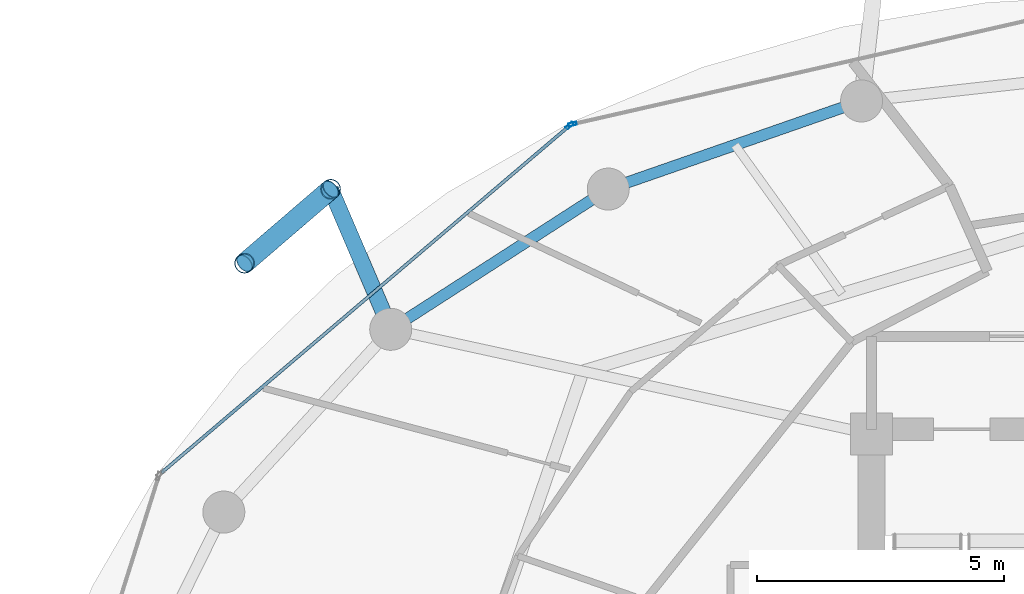
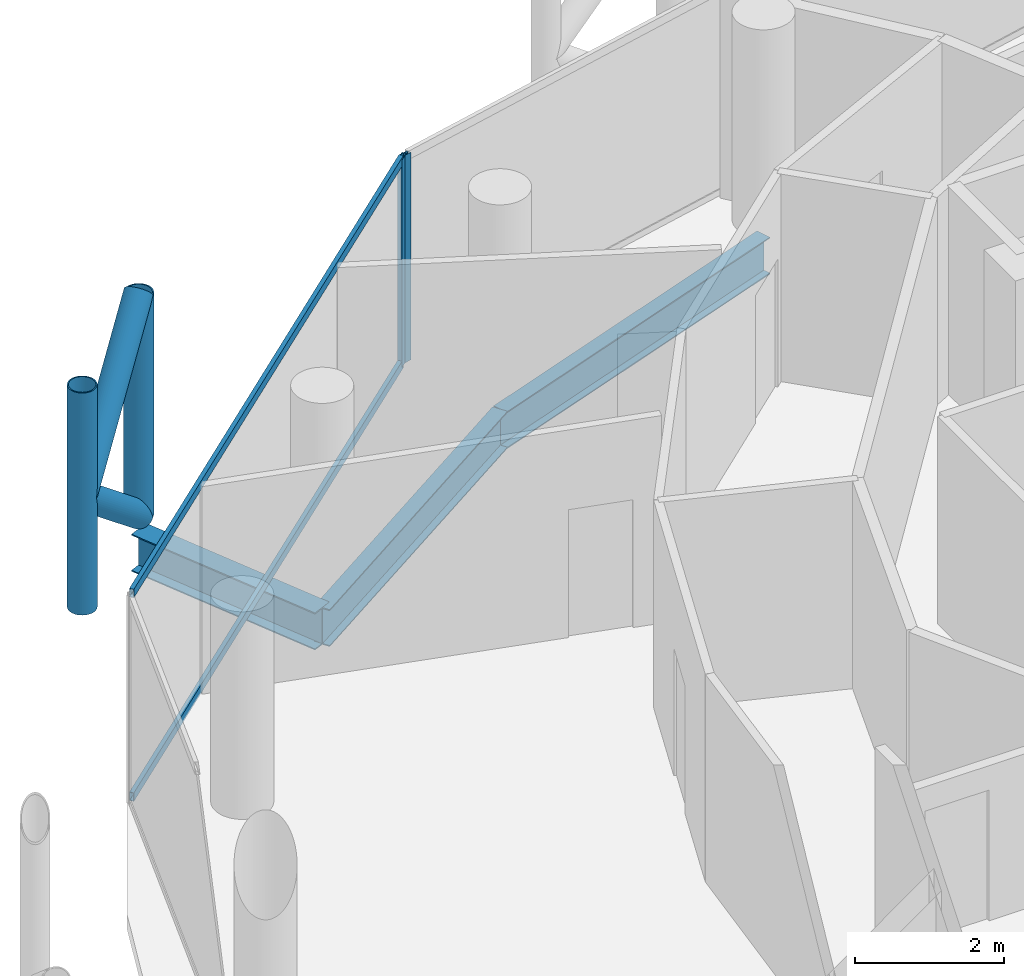
# One storey, part 18 of 27: 8 members, 3 beams, 2 elements without a shape of their own.
"""IFC4 building model written with IfcOpenShell, lengths in metres."""

from ifc_helpers import new_model, si_unit, direction, frame, origin, origin_2d, place, context, subcontext, project, spatial, hollow_rectangle, hollow_circle, i_section, extrude, material, layer, layer_set, material_profile, profile_set, type_object, element, aggregate, save


model = new_model("IFC4")

# Units and contexts
model_context = context("Model", 3, precision=1e-05, world=origin(), true_north=direction((0.0, 1.0)))
body_context = subcontext(model_context, "Body", "Model", "MODEL_VIEW")
ifc_project = project(units=[si_unit("LENGTHUNIT", "METRE"), si_unit("AREAUNIT", "SQUARE_METRE"), si_unit("VOLUMEUNIT", "CUBIC_METRE"), si_unit("PLANEANGLEUNIT", "RADIAN"), si_unit("MASSUNIT", "GRAM", prefix="KILO")], contexts=[model_context])

# Site, building, storey
site_placement = place(None, origin())
site = spatial("IfcSite", under=ifc_project, at=site_placement, CompositionType="ELEMENT")
building_placement = place(site_placement, origin())
building = spatial("IfcBuilding", under=site, at=building_placement, Name="Nuhasar Tower", CompositionType="ELEMENT")
storey_placement = place(building_placement, frame((0.0, 0.0, 219.10009765625)))
storey = spatial("IfcBuildingStorey", under=building, at=storey_placement, Name="L53", CompositionType="ELEMENT", Elevation=219.10009765625)

# Beams
ifc_material_1 = material(Name="Steel S355", Category="steel")
ifc_material_profile_1 = material_profile(ifc_material_1, i_section(OverallWidth=0.22802734375, OverallDepth=0.60791015625, WebThickness=0.01123046875, FlangeThickness=0.017333984375, at=origin_2d()), Name="W24X76")
ifc_profile_set_1 = profile_set([ifc_material_profile_1], Name="Steel S355")
beam_type_1 = type_object("IfcBeamType", Name="BM-RING-W24X76", PredefinedType="SPANDREL", material=ifc_profile_set_1)
beam_1_placement = place(storey_placement, frame((33.5, 44.0419921875, -0.544189453125), z_axis=(-0.944476764686, -0.328578211342, 0.0), x_axis=(0.328578211342, -0.944476764686, 0.0)))
element("IfcBeam", 1, at=beam_1_placement, inside=storey, type_object=beam_type_1, Name="L53 Perimeter Ring Spandrel 08", PredefinedType="SPANDREL", context=body_context, shape_type="SweptSolid", body=[
    extrude(i_section(OverallWidth=0.22802734375, OverallDepth=0.60791015625, WebThickness=0.01123046875, FlangeThickness=0.017333984375, at=origin_2d()), origin(), (0.0, 0.0, 1.0), 5.42626953125),
])
beam_2_placement = place(storey_placement, frame((28.375, 42.259033203125, -0.544189453125), z_axis=(-0.840502144969, -0.541808217272, 0.0), x_axis=(0.541808217272, -0.840502144969, 0.0)))
element("IfcBeam", 2, at=beam_2_placement, inside=storey, type_object=beam_type_1, Name="L53 Perimeter Ring Spandrel 09", PredefinedType="SPANDREL", context=body_context, shape_type="SweptSolid", body=[
    extrude(i_section(OverallWidth=0.22802734375, OverallDepth=0.60791015625, WebThickness=0.01123046875, FlangeThickness=0.017333984375, at=origin_2d()), origin(), (0.0, 0.0, 1.0), 5.236083984375),
])
ifc_material_profile_2 = material_profile(ifc_material_1, i_section(OverallWidth=0.323974609375, OverallDepth=0.611083984375, WebThickness=0.0126953125, FlangeThickness=0.01904296875, at=origin_2d()), Name="W24X104")
ifc_profile_set_2 = profile_set([ifc_material_profile_2], Name="Steel S355")
beam_type_2 = type_object("IfcBeamType", Name="BM-TIE-W24X104", PredefinedType="BEAM", material=ifc_profile_set_2)
beam_3_placement = place(storey_placement, frame((23.97412109375, 39.422119140625, -0.545166015625), z_axis=(-0.393680429682, 0.919247365667, 0.0), x_axis=(-0.919247365667, -0.393680429682, 0.0)))
element("IfcBeam", 3, at=beam_3_placement, inside=storey, type_object=beam_type_2, Name="L53 Exoskeleton Node Tie Beam 05", PredefinedType="BEAM", context=body_context, shape_type="SweptSolid", body=[
    extrude(i_section(OverallWidth=0.323974609375, OverallDepth=0.611083984375, WebThickness=0.0126953125, FlangeThickness=0.01904296875, at=origin_2d()), origin(), (0.0, 0.0, 1.0), 3.083984375),
])

# Curtain wall, member
ifc_material_2 = material(Name="Aluminium 6063-T6", Category="aluminium")
ifc_layer = layer(ifc_material_2, 0.18994140625)
ifc_layer_set = layer_set([ifc_layer], Name="Aluminium 6063-T6")
curtain_wall_type = type_object("IfcCurtainWallType", Name="CW-Z3-RES", PredefinedType="NOTDEFINED", material=ifc_layer_set)
curtain_wall_1_placement = place(storey_placement, origin())
curtain_wall_1 = element("IfcCurtainWall", 4, at=curtain_wall_1_placement, inside=storey, type_object=curtain_wall_type, Name="L53 Unitised Curtain Wall 04", PredefinedType="NOTDEFINED")
ifc_material_profile_3 = material_profile(ifc_material_2, hollow_rectangle(XDim=0.06494140625, YDim=0.169921875, WallThickness=0.0048828125, at=origin_2d()), Name="CWM-4")
ifc_profile_set_3 = profile_set([ifc_material_profile_3], Name="Aluminium 6063-T6")
member_type_1 = type_object("IfcMemberType", Name="CW-MUL-S4", PredefinedType="MULLION", material=ifc_profile_set_3)
member_1_placement = place(storey_placement, frame((27.651611328125, 43.5732421875, 0.0), z_axis=(0.0, 0.0, 1.0), x_axis=(0.222243176313, -0.974991266926, 0.0)))
member_1 = element("IfcMember", 5, at=member_1_placement, type_object=member_type_1, Name="CW-Z3 mullion 2", PredefinedType="MULLION", context=body_context, shape_type="SweptSolid", body=[
    extrude(hollow_rectangle(XDim=0.06494140625, YDim=0.169921875, WallThickness=0.0048828125, at=origin_2d()), origin(), (0.0, 0.0, 1.0), 3.409912109375),
])
aggregate(curtain_wall_1, [member_1])

# Curtain wall, members
curtain_wall_2_placement = place(storey_placement, origin())
curtain_wall_2 = element("IfcCurtainWall", 6, at=curtain_wall_2_placement, inside=storey, type_object=curtain_wall_type, Name="L53 Unitised Curtain Wall 05", PredefinedType="NOTDEFINED")
member_2_placement = place(storey_placement, frame((27.59521484375, 43.544921875, 0.0), z_axis=(0.0, 0.0, 1.0), x_axis=(0.64789521578, -0.761729472562, 0.0)))
member_2 = element("IfcMember", 7, at=member_2_placement, type_object=member_type_1, Name="CW-Z3 mullion 1", PredefinedType="MULLION", context=body_context, shape_type="SweptSolid", body=[
    extrude(hollow_rectangle(XDim=0.06494140625, YDim=0.169921875, WallThickness=0.0048828125, at=origin_2d()), origin(), (0.0, 0.0, 1.0), 3.409912109375),
])
ifc_material_profile_4 = material_profile(ifc_material_2, hollow_rectangle(XDim=0.06494140625, YDim=0.139892578125, WallThickness=0.00439453125, at=origin_2d()), Name="CWT-4")
ifc_profile_set_4 = profile_set([ifc_material_profile_4], Name="Aluminium 6063-T6")
member_type_2 = type_object("IfcMemberType", Name="CW-TRN-S4", PredefinedType="USERDEFINED", material=ifc_profile_set_4)
member_3_placement = place(storey_placement, frame((27.570556640625, 43.52392578125, 0.032470703125), z_axis=(-0.761730809511, -0.647893643928, 0.0), x_axis=(0.647893643928, -0.761730809511, 0.0)))
member_3 = element("IfcMember", 8, at=member_3_placement, type_object=member_type_2, Name="CW-Z3 transom 1.1", ObjectType="TRANSOM", PredefinedType="USERDEFINED", context=body_context, shape_type="SweptSolid", body=[
    extrude(hollow_rectangle(XDim=0.06494140625, YDim=0.139892578125, WallThickness=0.00439453125, at=origin_2d()), origin(), (0.0, 0.0, 1.0), 10.806884765625),
])
member_4_placement = place(storey_placement, frame((27.570556640625, 43.52392578125, 3.37744140625), z_axis=(-0.761730809511, -0.647893643928, 0.0), x_axis=(0.647893643928, -0.761730809511, 0.0)))
member_4 = element("IfcMember", 9, at=member_4_placement, type_object=member_type_2, Name="CW-Z3 transom 1.2", ObjectType="TRANSOM", PredefinedType="USERDEFINED", context=body_context, shape_type="SweptSolid", body=[
    extrude(hollow_rectangle(XDim=0.06494140625, YDim=0.139892578125, WallThickness=0.00439453125, at=origin_2d()), origin(), (0.0, 0.0, 1.0), 10.806884765625),
])
aggregate(curtain_wall_2, [member_2, member_3, member_4])

# Members
ifc_material_3 = material(Name="Steel S460", Category="steel")
ifc_material_profile_5 = material_profile(ifc_material_3, hollow_circle(Radius=0.203125, WallThickness=0.01904296875, at=origin_2d()), Name="HSS406.4X19.1")
ifc_profile_set_5 = profile_set([ifc_material_profile_5], Name="Steel S460")
member_type_3 = type_object("IfcMemberType", Name="EXO-BRONZE-406", PredefinedType="BRACE", material=ifc_profile_set_5)
for number, where, z_axis, x_axis, name in (
    (10, (22.760009765625, 42.257080078125, 0.0), (0.0, 0.0, 1.0), (1.0, 0.0, 0.0), "L53 Exoskeleton Chord Column EC-05A"),
    (11, (21.01611328125, 40.758056640625, 0.0), (0.0, 0.0, 1.0), (1.0, 0.0, 0.0), "L53 Exoskeleton Chord Column EC-05B"),
):
    element("IfcMember", number, at=place(storey_placement, frame(where, z_axis=z_axis, x_axis=x_axis)), inside=storey, type_object=member_type_3, Name=name, PredefinedType="BRACE", context=body_context, shape_type="SweptSolid", body=[
        extrude(hollow_circle(Radius=0.203125, WallThickness=0.01904296875, at=origin_2d()), origin(), (0.0, 0.0, 1.0), 3.64990234375),
    ])
for number, where, z_axis, x_axis, name in (
    (12, (22.760009765625, 42.257080078125, 0.0), (-0.594018535389, -0.510608120858, 0.621627964725), (0.65185738425, -0.758341579104, 0.0), "L53 Bronze Diagrid Brace W1-05"),
    (13, (21.01611328125, 40.758056640625, 1.824951171875), (0.594018535389, 0.510608120858, 0.621627964725), (-0.65185738425, 0.758341579104, 0.0), "L53 Bronze Diagrid Brace W2-05"),
):
    element("IfcMember", number, at=place(storey_placement, frame(where, z_axis=z_axis, x_axis=x_axis)), inside=storey, type_object=member_type_3, Name=name, PredefinedType="BRACE", context=body_context, shape_type="SweptSolid", body=[
        extrude(hollow_circle(Radius=0.203125, WallThickness=0.01904296875, at=origin_2d()), origin(), (0.0, 0.0, 1.0), 2.935791015625),
    ])

save(model, "model.ifc")
